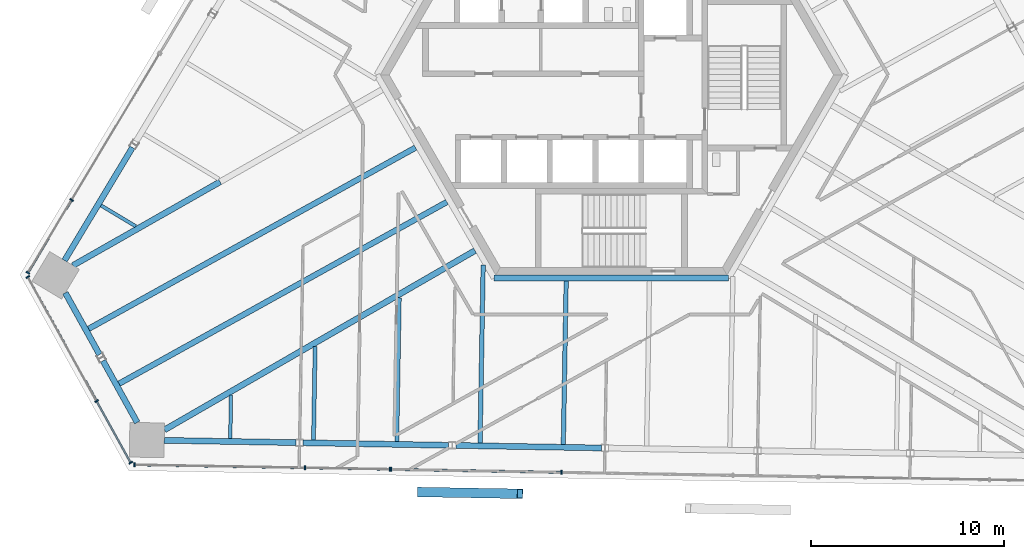
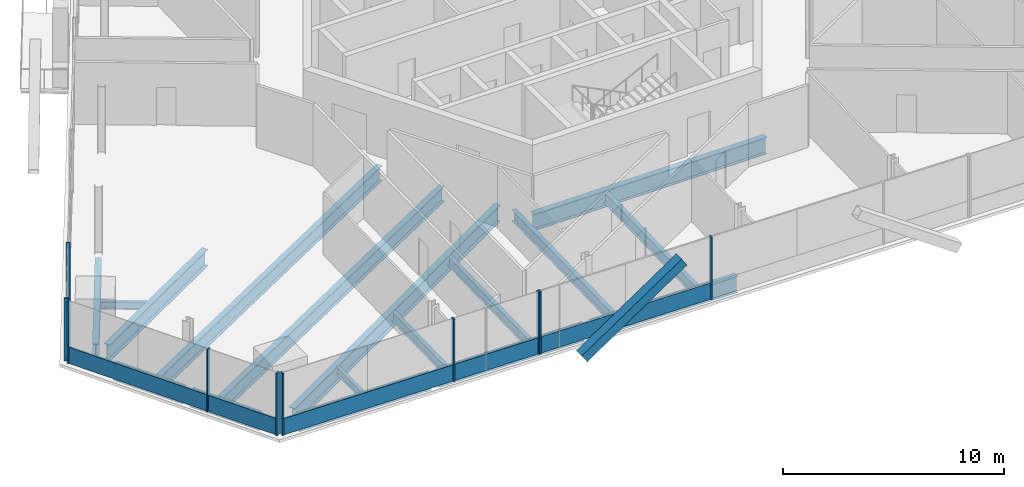
# One storey, part 4 of 18: 17 beams, 17 members, 4 elements without a shape of their own.
"""IFC4 building model written with IfcOpenShell, lengths in metres."""

from ifc_helpers import new_model, si_unit, direction, frame, origin, origin_2d, place, context, subcontext, project, spatial, rectangle, hollow_rectangle, i_section, extrude, source, transform, mapped, material, material_profile, profile_set, type_object, element, aggregate, save


model = new_model("IFC4")

# Units and contexts
model_context = context("Model", 3, precision=1e-05, world=origin(), true_north=direction((0.0, 1.0)))
body_context = subcontext(model_context, "Body", "Model", "MODEL_VIEW")
ifc_project = project(units=[si_unit("LENGTHUNIT", "METRE"), si_unit("AREAUNIT", "SQUARE_METRE"), si_unit("VOLUMEUNIT", "CUBIC_METRE"), si_unit("PLANEANGLEUNIT", "RADIAN"), si_unit("MASSUNIT", "GRAM", prefix="KILO")], contexts=[model_context])

# Site, building, storey
site_placement = place(None, origin())
site = spatial("IfcSite", under=ifc_project, at=site_placement, CompositionType="ELEMENT")
building_placement = place(site_placement, origin())
building = spatial("IfcBuilding", under=site, at=building_placement, Name="Triune Harvest Tower", CompositionType="ELEMENT")
storey_placement = place(building_placement, frame((0.0, 0.0, 190.699951171875)))
storey = spatial("IfcBuildingStorey", under=building, at=storey_placement, Name="L49", CompositionType="ELEMENT", Elevation=190.699951171875)

# Beams
ifc_material_1 = material(Name="Steel ASTM A992 Gr 50", Category="steel")
ifc_material_profile_1 = material_profile(ifc_material_1, i_section(OverallWidth=0.3046875, OverallDepth=0.914306640625, WebThickness=0.0166015625, FlangeThickness=0.02587890625, at=origin_2d()), Name="W36x160")
ifc_profile_set_1 = profile_set([ifc_material_profile_1], Name="Steel ASTM A992 Gr 50")
beam_type_1 = type_object("IfcBeamType", Name="CG-1 Core ring girder W36x160", PredefinedType="BEAM", material=ifc_profile_set_1)
shared_shape_1 = source(origin(), body_context, "Body", "SweptSolid", [
    extrude(i_section(OverallWidth=0.3046875, OverallDepth=0.914306640625, WebThickness=0.0166015625, FlangeThickness=0.02587890625, at=origin_2d()), origin(), (0.0, 0.0, 1.0), 12.17578125),
])
beam_1_placement = place(storey_placement, frame((-6.087890625, -10.544677734375, -0.6171875), z_axis=(1.0, 0.0, 0.0), x_axis=(0.0, 1.0, 0.0)))
element("IfcBeam", 1, at=beam_1_placement, inside=storey, type_object=beam_type_1, Name="beam/L49/CG5", PredefinedType="BEAM", context=body_context, shape_type="MappedRepresentation", body=[
    mapped(shared_shape_1, transform((0.0, 0.0, 0.0), scale=1.0)),
])
ifc_material_2 = material(Name="Steel ASTM A992 Gr 50", Category="steel")
ifc_material_profile_2 = material_profile(ifc_material_2, i_section(OverallWidth=0.3046875, OverallDepth=0.914306640625, WebThickness=0.0166015625, FlangeThickness=0.02587890625, at=origin_2d()), Name="W36x160")
ifc_profile_set_2 = profile_set([ifc_material_profile_2], Name="Steel ASTM A992 Gr 50")
beam_type_2 = type_object("IfcBeamType", Name="SB-1 Spandrel beam W36x160", PredefinedType="SPANDREL", material=ifc_profile_set_2)
shared_shape_2 = source(origin(), body_context, "Body", "SweptSolid", [
    extrude(i_section(OverallWidth=0.3046875, OverallDepth=0.914306640625, WebThickness=0.0166015625, FlangeThickness=0.02587890625, at=origin_2d()), origin(), (0.0, 0.0, 1.0), 6.841796875),
])
for number, where, z_axis, x_axis, name in (
    (2, (-24.86865234375, -3.77001953125, -0.6171875), (-0.515057137128, -0.857155846678, 0.0), (0.857155846678, -0.515057137128, 0.0), "beam/L49/SB14"),
    (3, (-23.21630859375, -18.97265625, -0.6171875), (0.999847751763, -0.01744916312, 0.0), (0.01744916312, 0.999847751763, 0.0), "beam/L49/SB17"),
):
    element("IfcBeam", number, at=place(storey_placement, frame(where, z_axis=z_axis, x_axis=x_axis)), inside=storey, type_object=beam_type_2, Name=name, PredefinedType="SPANDREL", context=body_context, shape_type="MappedRepresentation", body=[
        mapped(shared_shape_2, transform((0.0, 0.0, 0.0), scale=1.0)),
    ])
shared_shape_3 = source(origin(), body_context, "Body", "SweptSolid", [
    extrude(i_section(OverallWidth=0.3046875, OverallDepth=0.914306640625, WebThickness=0.0166015625, FlangeThickness=0.02587890625, at=origin_2d()), origin(), (0.0, 0.0, 1.0), 7.556396484375),
])
for number, where, z_axis, x_axis, name in (
    (4, (-16.0048828125, -19.098388671875, -0.6171875), (0.99984722371, -0.017479394688, 0.0), (0.017479394688, 0.99984722371, 0.0), "beam/L49/SB18"),
    (5, (-8.078857421875, -19.23681640625, -0.6171875), (0.99984722371, -0.017479394688, 0.0), (0.017479394688, 0.99984722371, 0.0), "beam/L49/SB19"),
):
    element("IfcBeam", number, at=place(storey_placement, frame(where, z_axis=z_axis, x_axis=x_axis)), inside=storey, type_object=beam_type_2, Name=name, PredefinedType="SPANDREL", context=body_context, shape_type="MappedRepresentation", body=[
        mapped(shared_shape_3, transform((0.0, 0.0, 0.0), scale=1.0)),
    ])
shared_shape_4 = source(origin(), body_context, "Body", "SweptSolid", [
    extrude(i_section(OverallWidth=0.3046875, OverallDepth=0.914306640625, WebThickness=0.0166015625, FlangeThickness=0.02587890625, at=origin_2d()), origin(), (0.0, 0.0, 1.0), 3.66357421875),
])
beam_2_placement = place(storey_placement, frame((-26.396240234375, -14.84375, -0.6171875), z_axis=(0.484794006312, -0.874628361903, 0.0), x_axis=(0.874628361903, 0.484794006312, 0.0)))
element("IfcBeam", 6, at=beam_2_placement, inside=storey, type_object=beam_type_2, Name="beam/L49/SB16", PredefinedType="SPANDREL", context=body_context, shape_type="MappedRepresentation", body=[
    mapped(shared_shape_4, transform((0.0, 0.0, 0.0), scale=1.0)),
])
shared_shape_5 = source(origin(), body_context, "Body", "SweptSolid", [
    extrude(i_section(OverallWidth=0.3046875, OverallDepth=0.914306640625, WebThickness=0.0166015625, FlangeThickness=0.02587890625, at=origin_2d()), origin(), (0.0, 0.0, 1.0), 3.663818359375),
])
beam_3_placement = place(storey_placement, frame((-28.352294921875, -11.31494140625, -0.6171875), z_axis=(0.484844980499, -0.874600105697, 0.0), x_axis=(0.874600105697, 0.484844980499, 0.0)))
element("IfcBeam", 7, at=beam_3_placement, inside=storey, type_object=beam_type_2, Name="beam/L49/SB15", PredefinedType="SPANDREL", context=body_context, shape_type="MappedRepresentation", body=[
    mapped(shared_shape_5, transform((0.0, 0.0, 0.0), scale=1.0)),
])
ifc_material_3 = material(Name="Steel ASTM A992 Gr 50", Category="steel")
ifc_material_profile_3 = material_profile(ifc_material_3, i_section(OverallWidth=0.307373046875, OverallDepth=0.922119140625, WebThickness=0.018310546875, FlangeThickness=0.030029296875, at=origin_2d()), Name="W36x182")
ifc_profile_set_3 = profile_set([ifc_material_profile_3], Name="Steel ASTM A992 Gr 50")
beam_type_3 = type_object("IfcBeamType", Name="HG-2 Hip girder W36x182", PredefinedType="BEAM", material=ifc_profile_set_3)
shared_shape_6 = source(origin(), body_context, "Body", "SweptSolid", [
    extrude(i_section(OverallWidth=0.307373046875, OverallDepth=0.922119140625, WebThickness=0.018310546875, FlangeThickness=0.030029296875, at=origin_2d()), origin(), (0.0, 0.0, 1.0), 8.79150390625),
])
beam_4_placement = place(storey_placement, frame((-27.958251953125, -9.8955078125, -0.620849609375), z_axis=(0.869275144509, 0.494328557883, 0.0), x_axis=(-0.494328557883, 0.869275144509, 0.0)))
element("IfcBeam", 8, at=beam_4_placement, inside=storey, type_object=beam_type_3, Name="beam/L49/HG5", PredefinedType="BEAM", context=body_context, shape_type="MappedRepresentation", body=[
    mapped(shared_shape_6, transform((0.0, 0.0, 0.0), scale=1.0)),
])
shared_shape_7 = source(origin(), body_context, "Body", "SweptSolid", [
    extrude(i_section(OverallWidth=0.307373046875, OverallDepth=0.922119140625, WebThickness=0.018310546875, FlangeThickness=0.030029296875, at=origin_2d()), origin(), (0.0, 0.0, 1.0), 18.616455078125),
])
beam_5_placement = place(storey_placement, frame((-23.206787109375, -18.431884765625, -0.620849609375), z_axis=(0.866022449336, 0.50000511722, 0.0), x_axis=(-0.50000511722, 0.866022449336, 0.0)))
element("IfcBeam", 9, at=beam_5_placement, inside=storey, type_object=beam_type_3, Name="beam/L49/HG7", PredefinedType="BEAM", context=body_context, shape_type="MappedRepresentation", body=[
    mapped(shared_shape_7, transform((0.0, 0.0, 0.0), scale=1.0)),
])
ifc_material_4 = material(Name="Steel ASTM A992 Gr 50", Category="steel")
ifc_material_profile_4 = material_profile(ifc_material_4, i_section(OverallWidth=0.22900390625, OverallDepth=0.612060546875, WebThickness=0.011962890625, FlangeThickness=0.01953125, at=origin_2d()), Name="W24x84")
ifc_profile_set_4 = profile_set([ifc_material_profile_4], Name="Steel ASTM A992 Gr 50")
beam_type_4 = type_object("IfcBeamType", Name="JT-3 Floor joist W24x84", PredefinedType="JOIST", material=ifc_profile_set_4)
shared_shape_8 = source(origin(), body_context, "Body", "SweptSolid", [
    extrude(i_section(OverallWidth=0.22900390625, OverallDepth=0.612060546875, WebThickness=0.011962890625, FlangeThickness=0.01953125, at=origin_2d()), origin(), (0.0, 0.0, 1.0), 9.247314453125),
])
beam_6_placement = place(storey_placement, frame((-6.8203125, -19.1064453125, -0.466064453125), z_axis=(0.017451330541, 0.999847713936, 0.0), x_axis=(-0.999847713936, 0.017451330541, 0.0)))
element("IfcBeam", 10, at=beam_6_placement, inside=storey, type_object=beam_type_4, Name="beam/L49/JT28", PredefinedType="JOIST", context=body_context, shape_type="MappedRepresentation", body=[
    mapped(shared_shape_8, transform((0.0, 0.0, 0.0), scale=1.0)),
])
shared_shape_9 = source(origin(), body_context, "Body", "SweptSolid", [
    extrude(i_section(OverallWidth=0.22900390625, OverallDepth=0.612060546875, WebThickness=0.011962890625, FlangeThickness=0.01953125, at=origin_2d()), origin(), (0.0, 0.0, 1.0), 8.486083984375),
])
beam_7_placement = place(storey_placement, frame((-2.4970703125, -19.181884765625, -0.466064453125), z_axis=(0.017434191628, 0.999848012931, 0.0), x_axis=(-0.999848012931, 0.017434191628, 0.0)))
element("IfcBeam", 11, at=beam_7_placement, inside=storey, type_object=beam_type_4, Name="beam/L49/JT29", PredefinedType="JOIST", context=body_context, shape_type="MappedRepresentation", body=[
    mapped(shared_shape_9, transform((0.0, 0.0, 0.0), scale=1.0)),
])
ifc_material_5 = material(Name="Steel ASTM A992 Gr 50", Category="steel")
ifc_material_profile_5 = material_profile(ifc_material_5, i_section(OverallWidth=0.2919921875, OverallDepth=0.8408203125, WebThickness=0.0146484375, FlangeThickness=0.021728515625, at=origin_2d()), Name="W33x130")
ifc_profile_set_5 = profile_set([ifc_material_profile_5], Name="Steel ASTM A992 Gr 50")
beam_type_5 = type_object("IfcBeamType", Name="JT-6 Floor joist W33x130", PredefinedType="JOIST", material=ifc_profile_set_5)
shared_shape_10 = source(origin(), body_context, "Body", "SweptSolid", [
    extrude(i_section(OverallWidth=0.2919921875, OverallDepth=0.8408203125, WebThickness=0.0146484375, FlangeThickness=0.021728515625, at=origin_2d()), origin(), (0.0, 0.0, 1.0), 19.403564453125),
])
beam_8_placement = place(storey_placement, frame((-27.142822265625, -13.1826171875, -0.580322265625), z_axis=(0.874615069694, 0.484817986325, 0.0), x_axis=(-0.484817986325, 0.874615069694, 0.0)))
element("IfcBeam", 12, at=beam_8_placement, inside=storey, type_object=beam_type_5, Name="beam/L49/JT23", PredefinedType="JOIST", context=body_context, shape_type="MappedRepresentation", body=[
    mapped(shared_shape_10, transform((0.0, 0.0, 0.0), scale=1.0)),
])
shared_shape_11 = source(origin(), body_context, "Body", "SweptSolid", [
    extrude(i_section(OverallWidth=0.2919921875, OverallDepth=0.8408203125, WebThickness=0.0146484375, FlangeThickness=0.021728515625, at=origin_2d()), origin(), (0.0, 0.0, 1.0), 19.460205078125),
])
beam_9_placement = place(storey_placement, frame((-25.562744140625, -16.03271484375, -0.580322265625), z_axis=(0.874617874633, 0.484812926161, 0.0), x_axis=(-0.484812926161, 0.874617874633, 0.0)))
element("IfcBeam", 13, at=beam_9_placement, inside=storey, type_object=beam_type_5, Name="beam/L49/JT24", PredefinedType="JOIST", context=body_context, shape_type="MappedRepresentation", body=[
    mapped(shared_shape_11, transform((0.0, 0.0, 0.0), scale=1.0)),
])
ifc_material_6 = material(Name="Steel ASTM A992 Gr 50", Category="steel")
ifc_material_profile_6 = material_profile(ifc_material_6, i_section(OverallWidth=0.2099609375, OverallDepth=0.535888671875, WebThickness=0.010986328125, FlangeThickness=0.017333984375, at=origin_2d()), Name="W21x68")
ifc_profile_set_6 = profile_set([ifc_material_profile_6], Name="Steel ASTM A992 Gr 50")
beam_type_6 = type_object("IfcBeamType", Name="JT-2 Floor joist W21x68", PredefinedType="JOIST", material=ifc_profile_set_6)
shared_shape_12 = source(origin(), body_context, "Body", "SweptSolid", [
    extrude(i_section(OverallWidth=0.2099609375, OverallDepth=0.535888671875, WebThickness=0.010986328125, FlangeThickness=0.017333984375, at=origin_2d()), origin(), (0.0, 0.0, 1.0), 4.864501953125),
])
beam_10_placement = place(storey_placement, frame((-15.467041015625, -18.95556640625, -0.427978515625), z_axis=(0.017465461228, 0.999847467199, 0.0), x_axis=(-0.999847467199, 0.017465461228, 0.0)))
element("IfcBeam", 14, at=beam_10_placement, inside=storey, type_object=beam_type_6, Name="beam/L49/JT26", PredefinedType="JOIST", context=body_context, shape_type="MappedRepresentation", body=[
    mapped(shared_shape_12, transform((0.0, 0.0, 0.0), scale=1.0)),
])
ifc_material_7 = material(Name="Steel ASTM A992 Gr 50", Category="steel")
ifc_material_profile_7 = material_profile(ifc_material_7, i_section(OverallWidth=0.180908203125, OverallDepth=0.41650390625, WebThickness=0.010986328125, FlangeThickness=0.01806640625, at=origin_2d()), Name="W16x57")
ifc_profile_set_7 = profile_set([ifc_material_profile_7], Name="Steel ASTM A992 Gr 50")
beam_type_7 = type_object("IfcBeamType", Name="JT-1 Floor joist W16x57", PredefinedType="JOIST", material=ifc_profile_set_7)
shared_shape_13 = source(origin(), body_context, "Body", "SweptSolid", [
    extrude(i_section(OverallWidth=0.180908203125, OverallDepth=0.41650390625, WebThickness=0.010986328125, FlangeThickness=0.01806640625, at=origin_2d()), origin(), (0.0, 0.0, 1.0), 2.104736328125),
])
beam_11_placement = place(storey_placement, frame((-26.498291015625, -6.7783203125, -0.3681640625), z_axis=(0.857185733632, -0.51500739612, 0.0), x_axis=(0.51500739612, 0.857185733632, 0.0)))
element("IfcBeam", 15, at=beam_11_placement, inside=storey, type_object=beam_type_7, Name="beam/L49/JT22", PredefinedType="JOIST", context=body_context, shape_type="MappedRepresentation", body=[
    mapped(shared_shape_13, transform((0.0, 0.0, 0.0), scale=1.0)),
])
shared_shape_14 = source(origin(), body_context, "Body", "SweptSolid", [
    extrude(i_section(OverallWidth=0.180908203125, OverallDepth=0.41650390625, WebThickness=0.010986328125, FlangeThickness=0.01806640625, at=origin_2d()), origin(), (0.0, 0.0, 1.0), 2.26611328125),
])
beam_12_placement = place(storey_placement, frame((-19.790283203125, -18.8798828125, -0.3681640625), z_axis=(0.017452357155, 0.999847696017, 0.0), x_axis=(-0.999847696017, 0.017452357155, 0.0)))
element("IfcBeam", 16, at=beam_12_placement, inside=storey, type_object=beam_type_7, Name="beam/L49/JT25", PredefinedType="JOIST", context=body_context, shape_type="MappedRepresentation", body=[
    mapped(shared_shape_14, transform((0.0, 0.0, 0.0), scale=1.0)),
])
shared_shape_15 = source(origin(), body_context, "Body", "SweptSolid", [
    extrude(i_section(OverallWidth=0.2099609375, OverallDepth=0.535888671875, WebThickness=0.010986328125, FlangeThickness=0.017333984375, at=origin_2d()), origin(), (0.0, 0.0, 1.0), 7.462890625),
])
beam_13_placement = place(storey_placement, frame((-11.143798828125, -19.031005859375, -0.427978515625), z_axis=(0.017469440512, 0.99984739768, 0.0), x_axis=(-0.99984739768, 0.017469440512, 0.0)))
element("IfcBeam", 17, at=beam_13_placement, inside=storey, type_object=beam_type_6, Name="beam/L49/JT27", PredefinedType="JOIST", context=body_context, shape_type="MappedRepresentation", body=[
    mapped(shared_shape_15, transform((0.0, 0.0, 0.0), scale=1.0)),
])

# Member
ifc_material_8 = material(Name="Steel ASTM A572 Gr 50", Category="steel")
ifc_material_profile_8 = material_profile(ifc_material_8, hollow_rectangle(XDim=0.5, YDim=0.5, WallThickness=0.030029296875, at=origin_2d()), Name="Box 500x500x30")
ifc_profile_set_8 = profile_set([ifc_material_profile_8], Name="Steel ASTM A572 Gr 50")
member_type_1 = type_object("IfcMemberType", Name="BR-3 Brace Box 500x500x30", PredefinedType="BRACE", material=ifc_profile_set_8)
shared_shape_16 = source(origin(), body_context, "Body", "SweptSolid", [
    extrude(hollow_rectangle(XDim=0.5, YDim=0.5, WallThickness=0.030029296875, at=origin_2d()), origin(), (0.0, 0.0, 1.0), 6.302734375),
])
member_1_placement = place(storey_placement, frame((-9.919189453125, -21.6572265625, 0.0), z_axis=(0.820689805227, -0.01433214839, 0.571194216636), x_axis=(0.017460876598, 0.999847547273, 0.0)))
element("IfcMember", 18, at=member_1_placement, inside=storey, type_object=member_type_1, Name="brace/B5-F5/d1/4", PredefinedType="BRACE", context=body_context, shape_type="MappedRepresentation", body=[
    mapped(shared_shape_16, transform((0.0, 0.0, 0.0), scale=1.0)),
])

# Curtain wall, members
ifc_material_9 = material(Name="Aluminium bronze anodised", Category="aluminium")
curtain_wall_type_1 = type_object("IfcCurtainWallType", Name="CW-1 Tower stick curtain wall", PredefinedType="NOTDEFINED", material=ifc_material_9)
curtain_wall_1_placement = place(storey_placement, origin())
curtain_wall_1 = element("IfcCurtainWall", 19, at=curtain_wall_1_placement, inside=storey, type_object=curtain_wall_type_1, Name="CW-1 B5-F4 L49 run 1")
ifc_material_10 = material(Name="Aluminium bronze anodised", Category="aluminium")
ifc_material_profile_9 = material_profile(ifc_material_10, rectangle(XDim=0.199951171875, YDim=0.074951171875, at=origin_2d()), Name="MU-1 mullion 75 x 200")
ifc_profile_set_9 = profile_set([ifc_material_profile_9], Name="Aluminium bronze anodised")
member_type_2 = type_object("IfcMemberType", Name="MU-1 mullion 75 x 200", PredefinedType="MULLION", material=ifc_profile_set_9)
shared_shape_17 = source(origin(), body_context, "Body", "SweptSolid", [
    extrude(rectangle(XDim=0.199951171875, YDim=0.074951171875, at=origin_2d()), origin(), (0.0, 0.0, 1.0), 3.43994140625),
])
member_2_placement = place(storey_placement, frame((-30.297607421875, -10.4912109375, 0.0), z_axis=(0.0, 0.0, 1.0), x_axis=(0.874623958582, 0.484801950362, 0.0)))
member_2 = element("IfcMember", 20, at=member_2_placement, type_object=member_type_2, Name="CW-1 mullion B5-F4 1.1", PredefinedType="MULLION", context=body_context, shape_type="MappedRepresentation", body=[
    mapped(shared_shape_17, transform((0.0, 0.0, 0.0), scale=1.0)),
])
member_3_placement = place(storey_placement, frame((-26.72802734375, -16.930908203125, 0.0), z_axis=(0.0, 0.0, 1.0), x_axis=(0.874623958582, 0.484801950362, 0.0)))
member_3 = element("IfcMember", 21, at=member_3_placement, type_object=member_type_2, Name="CW-1 mullion B5-F4 1.3", PredefinedType="MULLION", context=body_context, shape_type="MappedRepresentation", body=[
    mapped(shared_shape_17, transform((0.0, 0.0, 0.0), scale=1.0)),
])
member_4_placement = place(storey_placement, frame((-24.952392578125, -20.13427734375, 0.0), z_axis=(0.0, 0.0, 1.0), x_axis=(0.874623958582, 0.484801950362, 0.0)))
member_4 = element("IfcMember", 22, at=member_4_placement, type_object=member_type_2, Name="CW-1 mullion B5-F4 1.4", PredefinedType="MULLION", context=body_context, shape_type="MappedRepresentation", body=[
    mapped(shared_shape_17, transform((0.0, 0.0, 0.0), scale=1.0)),
])

curtain_wall_2_placement = place(storey_placement, origin())
curtain_wall_2 = element("IfcCurtainWall", 23, at=curtain_wall_2_placement, inside=storey, type_object=curtain_wall_type_1, Name="CW-1 B5-F5 L49 run 1")
member_5_placement = place(storey_placement, frame((-24.76318359375, -20.248046875, 0.0), z_axis=(0.0, 0.0, 1.0), x_axis=(0.017455340552, 0.999847643937, 0.0)))
member_5 = element("IfcMember", 24, at=member_5_placement, type_object=member_type_2, Name="CW-1 mullion B5-F5 1.1", PredefinedType="MULLION", context=body_context, shape_type="MappedRepresentation", body=[
    mapped(shared_shape_17, transform((0.0, 0.0, 0.0), scale=1.0)),
])
member_6_placement = place(storey_placement, frame((-15.913330078125, -20.402587890625, 0.0), z_axis=(0.0, 0.0, 1.0), x_axis=(0.017455340552, 0.999847643937, 0.0)))
member_6 = element("IfcMember", 25, at=member_6_placement, type_object=member_type_2, Name="CW-1 mullion B5-F5 1.3", PredefinedType="MULLION", context=body_context, shape_type="MappedRepresentation", body=[
    mapped(shared_shape_17, transform((0.0, 0.0, 0.0), scale=1.0)),
])
member_7_placement = place(storey_placement, frame((-11.50732421875, -20.4794921875, 0.0), z_axis=(0.0, 0.0, 1.0), x_axis=(0.017455340552, 0.999847643937, 0.0)))
member_7 = element("IfcMember", 26, at=member_7_placement, type_object=member_type_2, Name="CW-1 mullion B5-F5 1.4", PredefinedType="MULLION", context=body_context, shape_type="MappedRepresentation", body=[
    mapped(shared_shape_17, transform((0.0, 0.0, 0.0), scale=1.0)),
])

ifc_material_11 = material(Name="Aluminium bronze anodised", Category="aluminium")
curtain_wall_type_2 = type_object("IfcCurtainWallType", Name="CW-7 Tower stick curtain wall with insulated spandrel infill", PredefinedType="NOTDEFINED", material=ifc_material_11)
curtain_wall_3_placement = place(storey_placement, origin())
curtain_wall_3 = element("IfcCurtainWall", 27, at=curtain_wall_3_placement, inside=storey, type_object=curtain_wall_type_2, Name="CW-7 B5-F5 L49 run 1001")
member_8_placement = place(storey_placement, frame((-11.432373046875, -20.480712890625, 0.0), z_axis=(0.0, 0.0, 1.0), x_axis=(0.017447237873, 0.999847785361, 0.0)))
member_8 = element("IfcMember", 28, at=member_8_placement, type_object=member_type_2, Name="CW-7 mullion B5-F5 1001.1", PredefinedType="MULLION", context=body_context, shape_type="MappedRepresentation", body=[
    mapped(shared_shape_17, transform((0.0, 0.0, 0.0), scale=1.0)),
])
member_9_placement = place(storey_placement, frame((-2.58251953125, -20.63525390625, 0.0), z_axis=(0.0, 0.0, 1.0), x_axis=(0.017447237873, 0.999847785361, 0.0)))
member_9 = element("IfcMember", 29, at=member_9_placement, type_object=member_type_2, Name="CW-7 mullion B5-F5 1001.3", PredefinedType="MULLION", context=body_context, shape_type="MappedRepresentation", body=[
    mapped(shared_shape_17, transform((0.0, 0.0, 0.0), scale=1.0)),
])

ifc_material_12 = material(Name="Aluminium bronze anodised", Category="aluminium")
curtain_wall_type_3 = type_object("IfcCurtainWallType", Name="CW-6 Balcony window wall", PredefinedType="NOTDEFINED", material=ifc_material_12)
curtain_wall_4_placement = place(storey_placement, origin())
curtain_wall_4 = element("IfcCurtainWall", 30, at=curtain_wall_4_placement, inside=storey, type_object=curtain_wall_type_3, Name="CW-6 B5-F3 L49 run 1002")
ifc_material_13 = material(Name="Aluminium bronze anodised", Category="aluminium")
ifc_material_profile_10 = material_profile(ifc_material_13, rectangle(XDim=0.199951171875, YDim=0.074951171875, at=origin_2d()), Name="MU-6 mullion 75 x 200")
ifc_profile_set_10 = profile_set([ifc_material_profile_10], Name="Aluminium bronze anodised")
member_type_3 = type_object("IfcMemberType", Name="MU-6 mullion 75 x 200", PredefinedType="MULLION", material=ifc_profile_set_10)
shared_shape_18 = source(origin(), body_context, "Body", "SweptSolid", [
    extrude(rectangle(XDim=0.199951171875, YDim=0.074951171875, at=origin_2d()), origin(), (0.0, 0.0, 1.0), 3.43994140625),
])
member_10_placement = place(storey_placement, frame((-28.02490234375, -6.49462890625, 0.0), z_axis=(0.0, 0.0, 1.0), x_axis=(0.857168564281, -0.515035971956, 0.0)))
member_10 = element("IfcMember", 31, at=member_10_placement, type_object=member_type_3, Name="CW-6 mullion B5-F3 1002.3", PredefinedType="MULLION", context=body_context, shape_type="MappedRepresentation", body=[
    mapped(shared_shape_18, transform((0.0, 0.0, 0.0), scale=1.0)),
])
member_11_placement = place(storey_placement, frame((-30.293701171875, -10.2705078125, 0.0), z_axis=(0.0, 0.0, 1.0), x_axis=(0.857168564281, -0.515035971956, 0.0)))
member_11 = element("IfcMember", 32, at=member_11_placement, type_object=member_type_3, Name="CW-6 mullion B5-F3 1002.4", PredefinedType="MULLION", context=body_context, shape_type="MappedRepresentation", body=[
    mapped(shared_shape_18, transform((0.0, 0.0, 0.0), scale=1.0)),
])

# Member
ifc_material_14 = material(Name="Aluminium bronze anodised", Category="aluminium")
ifc_material_profile_11 = material_profile(ifc_material_14, rectangle(XDim=0.090087890625, YDim=0.89990234375, at=origin_2d()), Name="TR-1 transom 90 x 900")
ifc_profile_set_11 = profile_set([ifc_material_profile_11], Name="Aluminium bronze anodised")
member_type_4 = type_object("IfcMemberType", Name="TR-1 transom 90 x 900", PredefinedType="USERDEFINED", material=ifc_profile_set_11)
shared_shape_19 = source(origin(), body_context, "Body", "SweptSolid", [
    extrude(rectangle(XDim=0.090087890625, YDim=0.89990234375, at=origin_2d()), origin(), (0.0, 0.0, 1.0), 7.28759765625),
])
member_12_placement = place(storey_placement, frame((-30.279296875, -10.524169921875, 0.449951171875), z_axis=(0.484786537831, -0.874632501533, 0.0), x_axis=(0.874632501533, 0.484786537831, 0.0)))
member_12 = element("IfcMember", 33, at=member_12_placement, type_object=member_type_4, Name="CW-1 transom B5-F4 1.1", ObjectType="TRANSOM", PredefinedType="USERDEFINED", context=body_context, shape_type="MappedRepresentation", body=[
    mapped(shared_shape_19, transform((0.0, 0.0, 0.0), scale=1.0)),
])

shared_shape_20 = source(origin(), body_context, "Body", "SweptSolid", [
    extrude(rectangle(XDim=0.090087890625, YDim=0.89990234375, at=origin_2d()), origin(), (0.0, 0.0, 1.0), 3.587646484375),
])
member_13_placement = place(storey_placement, frame((-26.7099609375, -16.963623046875, 0.449951171875), z_axis=(0.484781810323, -0.874635121854, 0.0), x_axis=(0.874635121854, 0.484781810323, 0.0)))
member_13 = element("IfcMember", 34, at=member_13_placement, type_object=member_type_4, Name="CW-1 transom B5-F4 1.2", ObjectType="TRANSOM", PredefinedType="USERDEFINED", context=body_context, shape_type="MappedRepresentation", body=[
    mapped(shared_shape_20, transform((0.0, 0.0, 0.0), scale=1.0)),
])

aggregate(curtain_wall_1, [member_2, member_3, member_4, member_12, member_13])

shared_shape_21 = source(origin(), body_context, "Body", "SweptSolid", [
    extrude(rectangle(XDim=0.090087890625, YDim=0.89990234375, at=origin_2d()), origin(), (0.0, 0.0, 1.0), 8.77587890625),
])
member_14_placement = place(storey_placement, frame((-24.7255859375, -20.248779296875, 0.449951171875), z_axis=(0.999847866219, -0.017442603492, 0.0), x_axis=(0.017442603492, 0.999847866219, 0.0)))
member_14 = element("IfcMember", 35, at=member_14_placement, type_object=member_type_4, Name="CW-1 transom B5-F5 1.1", ObjectType="TRANSOM", PredefinedType="USERDEFINED", context=body_context, shape_type="MappedRepresentation", body=[
    mapped(shared_shape_21, transform((0.0, 0.0, 0.0), scale=1.0)),
])

member_15_placement = place(storey_placement, frame((-11.394775390625, -20.4814453125, 0.449951171875), z_axis=(0.999847866219, -0.017442603492, 0.0), x_axis=(0.017442603492, 0.999847866219, 0.0)))
member_15 = element("IfcMember", 36, at=member_15_placement, type_object=member_type_4, Name="CW-7 transom B5-F5 1001.1", ObjectType="TRANSOM", PredefinedType="USERDEFINED", context=body_context, shape_type="MappedRepresentation", body=[
    mapped(shared_shape_21, transform((0.0, 0.0, 0.0), scale=1.0)),
])

aggregate(curtain_wall_3, [member_8, member_9, member_15])

shared_shape_22 = source(origin(), body_context, "Body", "SweptSolid", [
    extrude(rectangle(XDim=0.090087890625, YDim=0.89990234375, at=origin_2d()), origin(), (0.0, 0.0, 1.0), 4.33203125),
])
member_16_placement = place(storey_placement, frame((-15.8759765625, -20.403076171875, 0.449951171875), z_axis=(0.999847370753, -0.017470981621, 0.0), x_axis=(0.017470981621, 0.999847370753, 0.0)))
member_16 = element("IfcMember", 37, at=member_16_placement, type_object=member_type_4, Name="CW-1 transom B5-F5 1.2", ObjectType="TRANSOM", PredefinedType="USERDEFINED", context=body_context, shape_type="MappedRepresentation", body=[
    mapped(shared_shape_22, transform((0.0, 0.0, 0.0), scale=1.0)),
])

aggregate(curtain_wall_2, [member_5, member_6, member_7, member_14, member_16])

ifc_material_15 = material(Name="Aluminium bronze anodised", Category="aluminium")
ifc_material_profile_12 = material_profile(ifc_material_15, rectangle(XDim=0.090087890625, YDim=0.14990234375, at=origin_2d()), Name="TR-6 transom 90 x 150")
ifc_profile_set_12 = profile_set([ifc_material_profile_12], Name="Aluminium bronze anodised")
member_type_5 = type_object("IfcMemberType", Name="TR-6 transom 90 x 150", PredefinedType="USERDEFINED", material=ifc_profile_set_12)
shared_shape_23 = source(origin(), body_context, "Body", "SweptSolid", [
    extrude(rectangle(XDim=0.090087890625, YDim=0.14990234375, at=origin_2d()), origin(), (0.0, 0.0, 1.0), 4.330078125),
])
member_17_placement = place(storey_placement, frame((-28.044189453125, -6.526611328125, 0.074951171875), z_axis=(-0.51504288061, -0.857164413128, 0.0), x_axis=(0.857164413128, -0.51504288061, 0.0)))
member_17 = element("IfcMember", 38, at=member_17_placement, type_object=member_type_5, Name="CW-6 transom B5-F3 1002.2", ObjectType="TRANSOM", PredefinedType="USERDEFINED", context=body_context, shape_type="MappedRepresentation", body=[
    mapped(shared_shape_23, transform((0.0, 0.0, 0.0), scale=1.0)),
])

aggregate(curtain_wall_4, [member_10, member_11, member_17])

save(model, "model.ifc")
